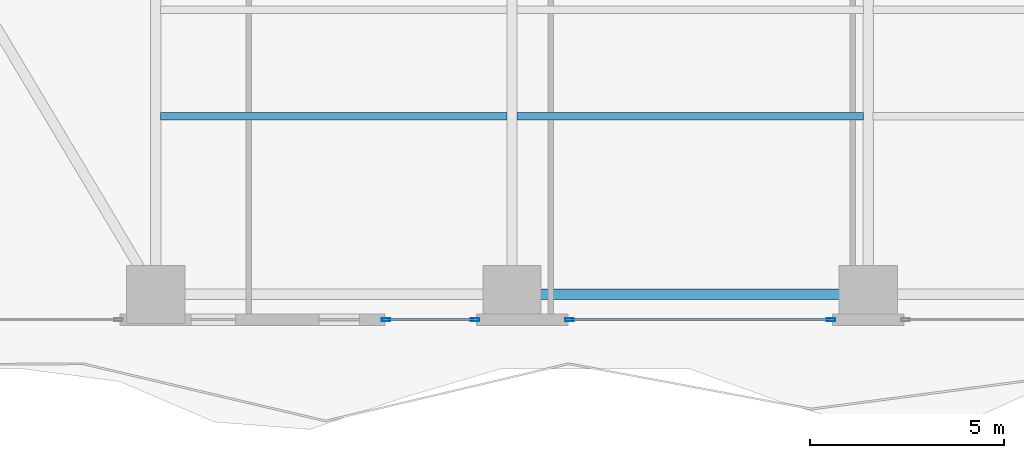
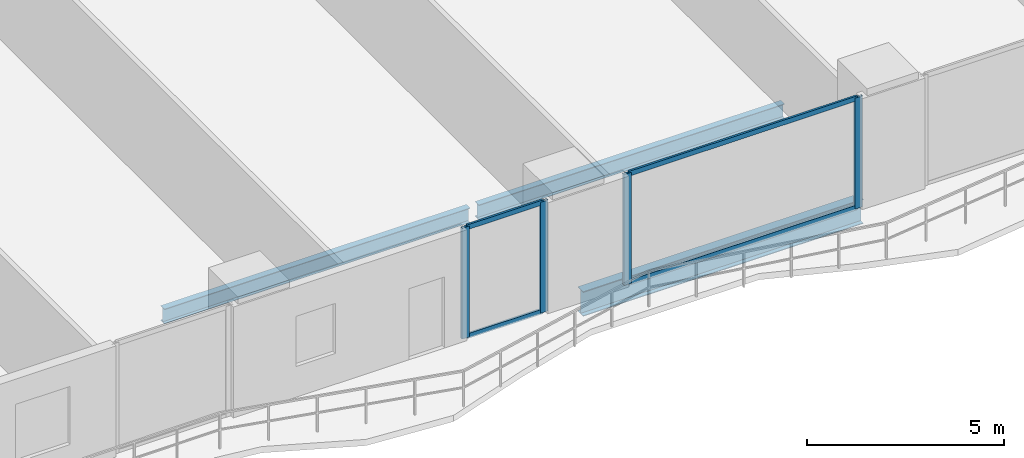
# One storey, part 4 of 28: 8 members, 3 beams, 2 elements without a shape of their own.
"""IFC4 building model written with IfcOpenShell, lengths in metres."""

from ifc_helpers import new_model, si_unit, direction, frame, origin, origin_2d, place, context, subcontext, project, spatial, hollow_rectangle, i_section, extrude, material, layer, layer_set, material_profile, profile_set, type_object, element, aggregate, save


model = new_model("IFC4")

# Units and contexts
model_context = context("Model", 3, precision=1e-05, world=origin(), true_north=direction((0.0, 1.0)))
body_context = subcontext(model_context, "Body", "Model", "MODEL_VIEW")
ifc_project = project(units=[si_unit("LENGTHUNIT", "METRE"), si_unit("AREAUNIT", "SQUARE_METRE"), si_unit("VOLUMEUNIT", "CUBIC_METRE"), si_unit("PLANEANGLEUNIT", "RADIAN"), si_unit("MASSUNIT", "GRAM", prefix="KILO")], contexts=[model_context])

# Site, building, storey
site_placement = place(None, origin())
site = spatial("IfcSite", under=ifc_project, at=site_placement, CompositionType="ELEMENT")
building_placement = place(site_placement, origin())
building = spatial("IfcBuilding", under=site, at=building_placement, Name="Zuhayl Quay Hotel", CompositionType="ELEMENT")
storey_placement = place(building_placement, frame((0.0, 0.0, 49.5)))
storey = spatial("IfcBuildingStorey", under=building, at=storey_placement, Name="L11", CompositionType="ELEMENT", Elevation=49.5)

# Beams
ifc_material_1 = material(Name="Steel ASTM A992 Grade 50", Category="steel")
ifc_material_profile_1 = material_profile(ifc_material_1, i_section(OverallWidth=0.26708984375, OverallDepth=0.761962890625, WebThickness=0.014404296875, FlangeThickness=0.021484375, at=origin_2d()), Name="W30X116")
ifc_profile_set_1 = profile_set([ifc_material_profile_1], Name="Steel ASTM A992 Grade 50")
beam_type_1 = type_object("IfcBeamType", Name="BM_B1_W30X116", PredefinedType="BEAM", material=ifc_profile_set_1)
beam_1_placement = place(storey_placement, frame((-4.10009765625, -22.449951171875, -0.60107421875), z_axis=(1.0, 0.0, 0.0), x_axis=(0.0, 1.0, 0.0)))
element("IfcBeam", 1, at=beam_1_placement, inside=storey, type_object=beam_type_1, Name="L11 Floor Beam RG_L11_02", PredefinedType="BEAM", context=body_context, shape_type="SweptSolid", body=[
    extrude(i_section(OverallWidth=0.26708984375, OverallDepth=0.761962890625, WebThickness=0.014404296875, FlangeThickness=0.021484375, at=origin_2d()), origin(), (0.0, 0.0, 1.0), 8.2001953125),
])
ifc_material_profile_2 = material_profile(ifc_material_1, i_section(OverallWidth=0.18994140625, OverallDepth=0.45703125, WebThickness=0.009033203125, FlangeThickness=0.014404296875, at=origin_2d()), Name="W18X50")
ifc_profile_set_2 = profile_set([ifc_material_profile_2], Name="Steel ASTM A992 Grade 50")
beam_type_2 = type_object("IfcBeamType", Name="BM_J2_W18X50", PredefinedType="JOIST", material=ifc_profile_set_2)
beam_2_placement = place(storey_placement, frame((-13.674560546875, -17.85009765625, -0.448486328125), z_axis=(1.0, 0.0, 0.0), x_axis=(0.0, 1.0, 0.0)))
element("IfcBeam", 2, at=beam_2_placement, inside=storey, type_object=beam_type_2, Name="L11 Floor Beam FJ_L11_3_1", PredefinedType="JOIST", context=body_context, shape_type="SweptSolid", body=[
    extrude(i_section(OverallWidth=0.18994140625, OverallDepth=0.45703125, WebThickness=0.009033203125, FlangeThickness=0.014404296875, at=origin_2d()), origin(), (0.0, 0.0, 1.0), 8.948974609375),
])
beam_3_placement = place(storey_placement, frame((-4.474609375, -17.85009765625, -0.448486328125), z_axis=(1.0, 0.0, 0.0), x_axis=(0.0, 1.0, 0.0)))
element("IfcBeam", 3, at=beam_3_placement, inside=storey, type_object=beam_type_2, Name="L11 Floor Beam FJ_L11_3_2", PredefinedType="JOIST", context=body_context, shape_type="SweptSolid", body=[
    extrude(i_section(OverallWidth=0.18994140625, OverallDepth=0.45703125, WebThickness=0.009033203125, FlangeThickness=0.014404296875, at=origin_2d()), origin(), (0.0, 0.0, 1.0), 8.94921875),
])

# Curtain wall, members
ifc_material_2 = material(Name="Anodised Aluminium 6063-T6", Category="aluminium")
ifc_layer = layer(ifc_material_2, 0.18994140625, Name="Anodised Aluminium 6063-T6", Category="aluminium")
ifc_layer_set = layer_set([ifc_layer], Name="Anodised Aluminium 6063-T6")
curtain_wall_type = type_object("IfcCurtainWallType", Name="CW_SYS_Z1", PredefinedType="USERDEFINED", material=ifc_layer_set)
curtain_wall_1_placement = place(storey_placement, origin())
curtain_wall_1 = element("IfcCurtainWall", 4, at=curtain_wall_1_placement, inside=storey, type_object=curtain_wall_type, Name="L11 Curtain Wall ENV_L11_S_CW3", ObjectType="UNITISED CURTAIN WALL", PredefinedType="USERDEFINED")
ifc_material_3 = material(Name="Black-anodised aluminium 6063-T6", Category="aluminium")
ifc_material_profile_3 = material_profile(ifc_material_3, hollow_rectangle(XDim=0.074951171875, YDim=0.219970703125, WallThickness=0.00390625, at=origin_2d()), Name="ALU220X75")
ifc_profile_set_3 = profile_set([ifc_material_profile_3], Name="Black-anodised aluminium 6063-T6")
member_type_1 = type_object("IfcMemberType", Name="MB_CW_MUL_220", PredefinedType="MULLION", material=ifc_profile_set_3)
member_1_placement = place(storey_placement, frame((3.642578125, -23.10009765625, 0.0), z_axis=(0.0, 0.0, 1.0), x_axis=(0.0, -1.0, 0.0)))
member_1 = element("IfcMember", 5, at=member_1_placement, type_object=member_type_1, Name="CW-Z1 mullion 1", PredefinedType="MULLION", context=body_context, shape_type="SweptSolid", body=[
    extrude(hollow_rectangle(XDim=0.074951171875, YDim=0.219970703125, WallThickness=0.00390625, at=origin_2d()), origin(), (0.0, 0.0, 1.0), 3.429931640625),
])
member_2_placement = place(storey_placement, frame((-3.112548828125, -23.10009765625, 0.0), z_axis=(0.0, 0.0, 1.0), x_axis=(0.0, -1.0, 0.0)))
member_2 = element("IfcMember", 6, at=member_2_placement, type_object=member_type_1, Name="CW-Z1 mullion 2", PredefinedType="MULLION", context=body_context, shape_type="SweptSolid", body=[
    extrude(hollow_rectangle(XDim=0.074951171875, YDim=0.219970703125, WallThickness=0.00390625, at=origin_2d()), origin(), (0.0, 0.0, 1.0), 3.429931640625),
])

curtain_wall_2_placement = place(storey_placement, origin())
curtain_wall_2 = element("IfcCurtainWall", 7, at=curtain_wall_2_placement, inside=storey, type_object=curtain_wall_type, Name="L11 Curtain Wall ENV_L11_S_CW4", ObjectType="UNITISED CURTAIN WALL", PredefinedType="USERDEFINED")
member_3_placement = place(storey_placement, frame((-5.5576171875, -23.10009765625, 0.0), z_axis=(0.0, 0.0, 1.0), x_axis=(0.0, -1.0, 0.0)))
member_3 = element("IfcMember", 8, at=member_3_placement, type_object=member_type_1, Name="CW-Z1 mullion 1", PredefinedType="MULLION", context=body_context, shape_type="SweptSolid", body=[
    extrude(hollow_rectangle(XDim=0.074951171875, YDim=0.219970703125, WallThickness=0.00390625, at=origin_2d()), origin(), (0.0, 0.0, 1.0), 3.429931640625),
])
member_4_placement = place(storey_placement, frame((-7.847412109375, -23.10009765625, 0.0), z_axis=(0.0, 0.0, 1.0), x_axis=(0.0, -1.0, 0.0)))
member_4 = element("IfcMember", 9, at=member_4_placement, type_object=member_type_1, Name="CW-Z1 mullion 2", PredefinedType="MULLION", context=body_context, shape_type="SweptSolid", body=[
    extrude(hollow_rectangle(XDim=0.074951171875, YDim=0.219970703125, WallThickness=0.00390625, at=origin_2d()), origin(), (0.0, 0.0, 1.0), 3.429931640625),
])

# Member
ifc_material_profile_4 = material_profile(ifc_material_3, hollow_rectangle(XDim=0.06005859375, YDim=0.14990234375, WallThickness=0.00341796875, at=origin_2d()), Name="ALU150X60")
ifc_profile_set_4 = profile_set([ifc_material_profile_4], Name="Black-anodised aluminium 6063-T6")
member_type_2 = type_object("IfcMemberType", Name="MB_CW_TRN_150", PredefinedType="USERDEFINED", material=ifc_profile_set_4)
member_5_placement = place(storey_placement, frame((3.60498046875, -23.10009765625, 0.030029296875), z_axis=(-1.0, 0.0, 0.0), x_axis=(0.0, -1.0, 0.0)))
member_5 = element("IfcMember", 10, at=member_5_placement, type_object=member_type_2, Name="CW-Z1 transom 1.1", ObjectType="TRANSOM", PredefinedType="USERDEFINED", context=body_context, shape_type="SweptSolid", body=[
    extrude(hollow_rectangle(XDim=0.06005859375, YDim=0.14990234375, WallThickness=0.00341796875, at=origin_2d()), origin(), (0.0, 0.0, 1.0), 6.679931640625),
])

member_6_placement = place(storey_placement, frame((3.60498046875, -23.10009765625, 3.39990234375), z_axis=(-1.0, 0.0, 0.0), x_axis=(0.0, -1.0, 0.0)))
member_6 = element("IfcMember", 11, at=member_6_placement, type_object=member_type_2, Name="CW-Z1 transom 1.2", ObjectType="TRANSOM", PredefinedType="USERDEFINED", context=body_context, shape_type="SweptSolid", body=[
    extrude(hollow_rectangle(XDim=0.06005859375, YDim=0.14990234375, WallThickness=0.00341796875, at=origin_2d()), origin(), (0.0, 0.0, 1.0), 6.679931640625),
])

aggregate(curtain_wall_1, [member_1, member_2, member_5, member_6])

member_7_placement = place(storey_placement, frame((-5.594970703125, -23.10009765625, 0.030029296875), z_axis=(-1.0, 0.0, 0.0), x_axis=(0.0, -1.0, 0.0)))
member_7 = element("IfcMember", 12, at=member_7_placement, type_object=member_type_2, Name="CW-Z1 transom 1.1", ObjectType="TRANSOM", PredefinedType="USERDEFINED", context=body_context, shape_type="SweptSolid", body=[
    extrude(hollow_rectangle(XDim=0.06005859375, YDim=0.14990234375, WallThickness=0.00341796875, at=origin_2d()), origin(), (0.0, 0.0, 1.0), 2.215087890625),
])

member_8_placement = place(storey_placement, frame((-5.594970703125, -23.10009765625, 3.39990234375), z_axis=(-1.0, 0.0, 0.0), x_axis=(0.0, -1.0, 0.0)))
member_8 = element("IfcMember", 13, at=member_8_placement, type_object=member_type_2, Name="CW-Z1 transom 1.2", ObjectType="TRANSOM", PredefinedType="USERDEFINED", context=body_context, shape_type="SweptSolid", body=[
    extrude(hollow_rectangle(XDim=0.06005859375, YDim=0.14990234375, WallThickness=0.00341796875, at=origin_2d()), origin(), (0.0, 0.0, 1.0), 2.215087890625),
])

aggregate(curtain_wall_2, [member_3, member_4, member_7, member_8])

save(model, "model.ifc")
